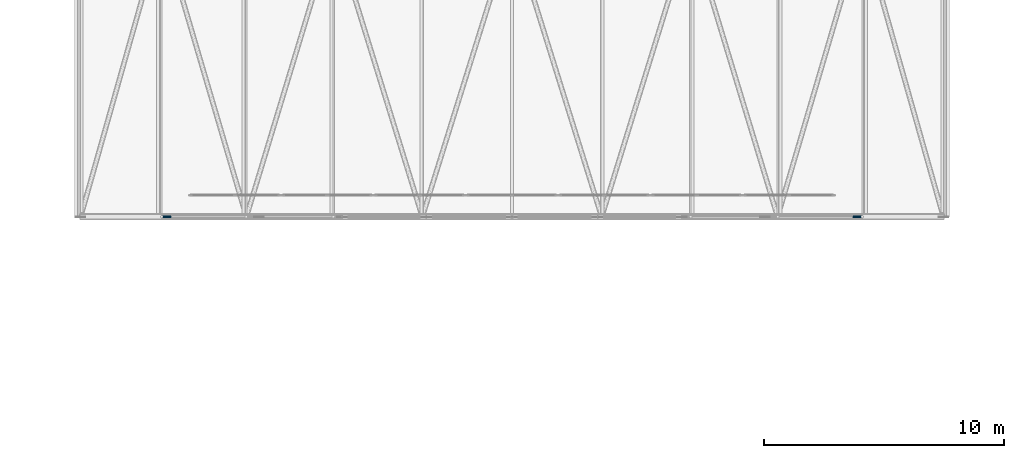
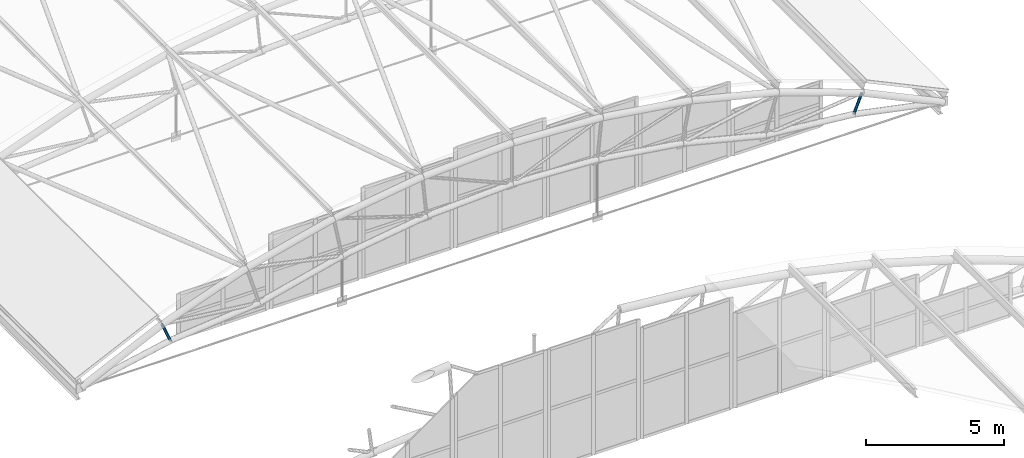
# One storey, part 239 of 321: 2 members.
"""IFC4 building model written with IfcOpenShell, lengths in metres."""

from ifc_helpers import new_model, si_unit, direction, frame, origin, origin_2d, place, context, subcontext, project, spatial, hollow_circle, extrude, material, material_profile, profile_set, type_object, element, save


model = new_model("IFC4")

# Units and contexts
model_context = context("Model", 3, precision=1e-05, world=origin(), true_north=direction((0.0, 1.0)))
body_context = subcontext(model_context, "Body", "Model", "MODEL_VIEW")
ifc_project = project(units=[si_unit("LENGTHUNIT", "METRE"), si_unit("AREAUNIT", "SQUARE_METRE"), si_unit("VOLUMEUNIT", "CUBIC_METRE"), si_unit("PLANEANGLEUNIT", "RADIAN"), si_unit("MASSUNIT", "GRAM", prefix="KILO")], contexts=[model_context])

# Site, building, storey
site_placement = place(None, origin())
site = spatial("IfcSite", under=ifc_project, at=site_placement, CompositionType="ELEMENT")
building_placement = place(site_placement, origin())
building = spatial("IfcBuilding", under=site, at=building_placement, Name="Ravi Spectrum Wholesale Market", CompositionType="ELEMENT")
storey_placement = place(building_placement, frame((0.0, 0.0, 10.800048828125)))
storey = spatial("IfcBuildingStorey", under=building, at=storey_placement, Name="L02", CompositionType="ELEMENT", Elevation=10.800048828125)

# Members
ifc_material = material(Name="Steel S355", Category="steel")
ifc_material_profile = material_profile(ifc_material, hollow_circle(Radius=0.05712890625, WallThickness=0.00390625, at=origin_2d()))
ifc_profile_set = profile_set([ifc_material_profile], Name="Steel S355")
member_type = type_object("IfcMemberType", Name="CHS 114.3x4 post", PredefinedType="POST", material=ifc_profile_set)
for number, where, z_axis, x_axis, name in (
    (1, (165.38818359375, 138.0, 1.59912109375), (0.382168117356, 0.0, -0.924092814644), (0.0, 1.0, 0.0), "H3-MB-L02-021"),
    (2, (194.61181640625, 138.0, 1.59912109375), (-0.382168117356, 0.0, -0.924092814644), (0.0, -1.0, 0.0), "H3-MB-L02-029"),
):
    element("IfcMember", number, at=place(storey_placement, frame(where, z_axis=z_axis, x_axis=x_axis)), inside=storey, type_object=member_type, Name=name, PredefinedType="POST", context=body_context, shape_type="SweptSolid", body=[
        extrude(hollow_circle(Radius=0.05712890625, WallThickness=0.00390625, at=origin_2d()), origin(), (0.0, 0.0, 1.0), 0.900146484375),
    ])

save(model, "model.ifc")
